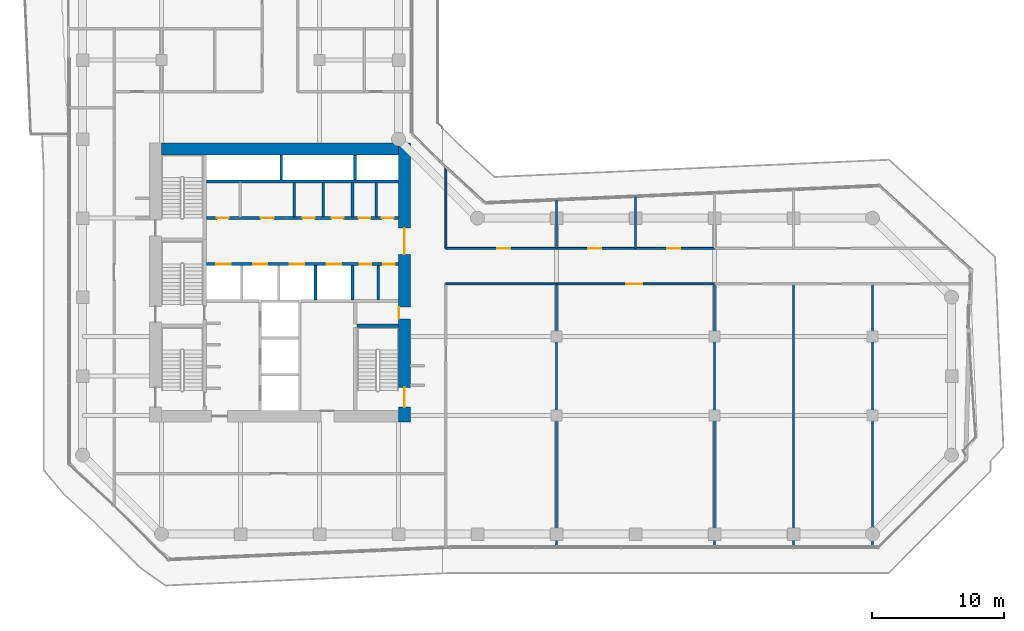
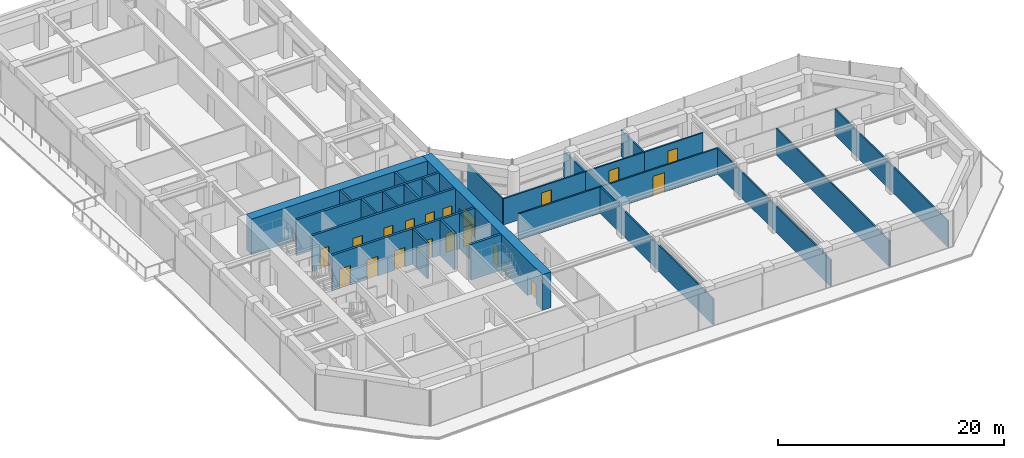
# One storey, part 24 of 29: 27 walls, 19 doors, 19 openings.
"""IFC4 building model written with IfcOpenShell, lengths in metres."""

import ifcopenshell
import ifcopenshell.guid

model = None  # the IFC model being written
_history = None  # IfcOwnerHistory: only IFC2X3 demands one
_inside = {}  # id of a spatial element -> (the spatial element, [elements in it])
_under = {}  # id of a project, library or spatial element -> (it, [spatial elements below it])
_declared = {}  # id of a project -> (the project, [libraries it declares])
_typed = {}  # id of a type object -> (the type object, [elements of that type])
_made_of = {}  # id of a material, layer set ... -> (it, [elements and type objects made of it])


def new_model(schema):
    """Start an empty IFC model of exactly this schema.

    Asked for "IFC4X3", IfcOpenShell would pick the latest addendum, in which some entities
    have other attributes; the version numbers below select the first issue.
    IFC2X3 requires an IfcOwnerHistory on every rooted entity: one is made here for all.
    """
    global model, _history
    if schema == "IFC4X3":
        model = ifcopenshell.file(schema_version=(4, 3, 0, 0))
    else:
        model = ifcopenshell.file(schema=schema)
    _inside.clear()
    _under.clear()
    _declared.clear()
    _typed.clear()
    _made_of.clear()
    _history = None
    if model.schema == "IFC2X3":
        org = make("IfcOrganization", Name="unknown")
        user = make(
            "IfcPersonAndOrganization",
            ThePerson=make("IfcPerson", FamilyName="unknown"),
            TheOrganization=org,
        )
        app = make(
            "IfcApplication",
            ApplicationDeveloper=org,
            Version="unknown",
            ApplicationFullName="unknown",
            ApplicationIdentifier="unknown",
        )
        _history = make(
            "IfcOwnerHistory",
            OwningUser=user,
            OwningApplication=app,
            ChangeAction="ADDED",
            CreationDate=0,
        )
    return model


def make(cls, **values):
    """One entity of the class cls with the attributes given. An attribute that is None is left unset."""
    return model.create_entity(
        cls, **{name: value for name, value in values.items() if value is not None}
    )


def rooted(cls, **values):
    """An entity with a GlobalId (a new one), such as an element, a storey or a relation."""
    return make(cls, GlobalId=ifcopenshell.guid.new(), OwnerHistory=_history, **values)


def si_unit(unit_type, name, prefix=None):
    """IfcSIUnit, for example si_unit("LENGTHUNIT", "METRE", prefix="MILLI")."""
    return make("IfcSIUnit", UnitType=unit_type, Prefix=prefix, Name=name)


def assignment(units):
    """IfcUnitAssignment: the units of a project."""
    return None if units is None else make("IfcUnitAssignment", Units=units)


def point(xyz):
    """IfcCartesianPoint."""
    return None if xyz is None else make("IfcCartesianPoint", Coordinates=xyz)


def direction(xyz):
    """IfcDirection."""
    return None if xyz is None else make("IfcDirection", DirectionRatios=xyz)


def frame(location, z_axis=None, x_axis=None):
    """IfcAxis2Placement3D, a coordinate frame: its origin and axes. An axis left out is left unset."""
    return make(
        "IfcAxis2Placement3D",
        Location=point(location),
        Axis=direction(z_axis),
        RefDirection=direction(x_axis),
    )


def frame_2d(location, x_axis=None):
    """IfcAxis2Placement2D, a coordinate frame in the plane: its origin and x axis."""
    return make(
        "IfcAxis2Placement2D", Location=point(location), RefDirection=direction(x_axis)
    )


def origin():
    """The frame at (0, 0, 0) with its axes left unset."""
    return frame((0.0, 0.0, 0.0))


def place(relative_to, where):
    """IfcLocalPlacement: puts the frame where relative to a parent placement (None: the world)."""
    return make(
        "IfcLocalPlacement", PlacementRelTo=relative_to, RelativePlacement=where
    )


def context(
    kind, dimensions, precision=None, world=None, true_north=None, identifier=None
):
    """IfcGeometricRepresentationContext, for example the 3D "Model" context."""
    return make(
        "IfcGeometricRepresentationContext",
        ContextIdentifier=identifier,
        ContextType=kind,
        CoordinateSpaceDimension=dimensions,
        Precision=precision,
        WorldCoordinateSystem=world,
        TrueNorth=true_north,
    )


def subcontext(parent, identifier, kind, view, scale=None):
    """IfcGeometricRepresentationSubContext, for example "Body" below "Model"."""
    return make(
        "IfcGeometricRepresentationSubContext",
        ContextIdentifier=identifier,
        ContextType=kind,
        ParentContext=parent,
        TargetScale=scale,
        TargetView=view,
    )


def project(units=None, contexts=None):
    """IfcProject with its units and contexts."""
    return rooted(
        "IfcProject",
        Name="project",
        RepresentationContexts=contexts,
        UnitsInContext=assignment(units),
    )


def spatial(cls, under=None, at=None, **own):
    """A site, building, storey or space (cls), placed at a placement, below another one or the project."""
    s = rooted(cls, ObjectPlacement=at, **own)
    if under is not None:
        _under.setdefault(under.id(), (under, []))[1].append(s)
    return s


def profile(cls, at=None, kind="AREA", **sizes):
    """A parametric profile (cls). Its sizes go by their IFC names, for example OverallWidth=200.0."""
    return make(cls, ProfileType=kind, Position=at, **sizes)


def rectangle(**sizes):
    """IfcRectangleProfileDef."""
    return profile("IfcRectangleProfileDef", **sizes)


def extrude(swept, where, along, depth):
    """IfcExtrudedAreaSolid: the profile swept, set in the frame where, extruded along a direction by depth."""
    return make(
        "IfcExtrudedAreaSolid",
        SweptArea=swept,
        Position=where,
        ExtrudedDirection=direction(along),
        Depth=depth,
    )


def shape(context_of_items, identifier, shape_type, items):
    """IfcShapeRepresentation: the items that make up one representation, for example the "Body"."""
    return make(
        "IfcShapeRepresentation",
        ContextOfItems=context_of_items,
        RepresentationIdentifier=identifier,
        RepresentationType=shape_type,
        Items=items,
    )


def material(Name=None, Category=None):
    """IfcMaterial."""
    return make("IfcMaterial", Name=Name, Category=Category)


def layer(
    of_material, thickness, ventilated=None, Name=None, Category=None, Priority=None
):
    """IfcMaterialLayer: one layer of a wall or slab, of a material (None: an air gap)."""
    return make(
        "IfcMaterialLayer",
        Material=of_material,
        LayerThickness=thickness,
        IsVentilated=ventilated,
        Name=Name,
        Category=Category,
        Priority=Priority,
    )


def layer_set(layers, Name=None):
    """IfcMaterialLayerSet."""
    return make("IfcMaterialLayerSet", MaterialLayers=layers, LayerSetName=Name)


def made_of(thing, what):
    """Note that an element or type object is made of a material, layer set ...; save() writes the relation."""
    if what is not None:
        _made_of.setdefault(what.id(), (what, []))[1].append(thing)
    return thing


def type_object(cls, material=None, **own):
    """A type object (cls), such as IfcWallType, which elements share."""
    return made_of(rooted(cls, **own), material)


def element(
    cls,
    number,
    at=None,
    inside=None,
    cuts=None,
    type_object=None,
    material=None,
    context=None,
    identifier="Body",
    shape_type=None,
    held_by="IfcProductDefinitionShape",
    body=None,
    shapes=None,
    **own,
):
    """One element of the class cls, such as IfcWall. Its Tag is "e" and its number.

    at: its placement. inside: the storey or other place that contains it. cuts: it is an
    opening in that element (IfcRelVoidsElement). A single representation is given by context,
    identifier, shape_type and body (its items); several are given by shapes. held_by: the class
    of the entity that holds the representations. save() writes the other relations.
    """
    e = rooted(cls, Tag="e%d" % number, ObjectPlacement=at, **own)
    if body is not None:
        shapes = [shape(context, identifier, shape_type, body)]
    if shapes is not None:
        e.Representation = make(held_by, Representations=shapes)
    if inside is not None:
        _inside.setdefault(inside.id(), (inside, []))[1].append(e)
    if cuts is not None:
        rooted(
            "IfcRelVoidsElement", RelatingBuildingElement=cuts, RelatedOpeningElement=e
        )
    if type_object is not None:
        _typed.setdefault(type_object.id(), (type_object, []))[1].append(e)
    return made_of(e, material)


def fill(opening, filler):
    """IfcRelFillsElement: the door or window that sits in an opening."""
    return rooted(
        "IfcRelFillsElement",
        RelatingOpeningElement=opening,
        RelatedBuildingElement=filler,
    )


def aggregate(whole, parts):
    """IfcRelAggregates: a whole, such as a stair, and the parts it consists of."""
    return rooted("IfcRelAggregates", RelatingObject=whole, RelatedObjects=parts)


def save(model, path):
    """Write the relations noted so far, then the file.

    IfcRelAggregates (storeys below a building ...), IfcRelContainedInSpatialStructure (elements
    in a storey), IfcRelDefinesByType, IfcRelAssociatesMaterial and IfcRelDeclares: one each for
    every whole, place, type object, material and project.
    """
    for whole, parts in _under.values():
        aggregate(whole, parts)
    for where, things in _inside.values():
        rooted(
            "IfcRelContainedInSpatialStructure",
            RelatedElements=things,
            RelatingStructure=where,
        )
    for kind, things in _typed.values():
        rooted("IfcRelDefinesByType", RelatedObjects=things, RelatingType=kind)
    for what, things in _made_of.values():
        rooted("IfcRelAssociatesMaterial", RelatedObjects=things, RelatingMaterial=what)
    for by, libraries in _declared.values():
        rooted("IfcRelDeclares", RelatingContext=by, RelatedDefinitions=libraries)
    model.write(path)


model = new_model("IFC4")

# Units and contexts
model_context = context("Model", 3, precision=1e-05, world=origin(), true_north=direction((0.0, 1.0)))
body_context = subcontext(model_context, "Body", "Model", "MODEL_VIEW")
ifc_project = project(units=[si_unit("LENGTHUNIT", "METRE"), si_unit("AREAUNIT", "SQUARE_METRE"), si_unit("VOLUMEUNIT", "CUBIC_METRE"), si_unit("PLANEANGLEUNIT", "RADIAN"), si_unit("MASSUNIT", "GRAM", prefix="KILO")], contexts=[model_context])

# Site, building, storey
site_placement = place(None, origin())
site = spatial("IfcSite", under=ifc_project, at=site_placement, CompositionType="ELEMENT")
building_placement = place(site_placement, origin())
building = spatial("IfcBuilding", under=site, at=building_placement, Name="Welwitschia Terrace Campus", CompositionType="ELEMENT")
storey_placement = place(building_placement, frame((0.0, 0.0, 62.60009765625)))
storey = spatial("IfcBuildingStorey", under=building, at=storey_placement, Name="L14", CompositionType="ELEMENT", Elevation=62.60009765625)

# Walls
ifc_material_1 = material(Name="Concrete C32/40", Category="concrete")
ifc_layer_1 = layer(ifc_material_1, 0.175048828125)
ifc_layer_set_1 = layer_set([ifc_layer_1], Name="Concrete C32/40")
wall_type_1 = type_object("IfcWallType", Name="Core partition 175 Concrete C32/40", PredefinedType="PARTITIONING", material=ifc_layer_set_1)
for number, where, z_axis, x_axis, name in (
    (1, (16.074951171875, 20.10009765625, 0.0), (0.0, 0.0, 1.0), (0.0, 1.0, 0.0), "Core partition"),
    (2, (18.27490234375, 20.10009765625, 0.0), (0.0, 0.0, 1.0), (0.0, 1.0, 0.0), "Core partition"),
    (3, (22.300048828125, 20.10009765625, 0.0), (0.0, 0.0, 1.0), (0.0, 1.0, 0.0), "Core partition"),
    (4, (22.469970703125, 13.800048828125, 0.0), (0.0, 0.0, 1.0), (0.0, 1.0, 0.0), "Core partition"),
):
    element("IfcWall", number, at=place(storey_placement, frame(where, z_axis=z_axis, x_axis=x_axis)), inside=storey, type_object=wall_type_1, Name=name, PredefinedType="PARTITIONING", context=body_context, shape_type="SweptSolid", body=[
        extrude(rectangle(XDim=2.599853515625, YDim=0.175048828125, at=frame_2d((1.2998046875, 0.0))), origin(), (0.0, 0.0, 1.0), 3.849853515625),
    ])

# Wall, openings, doors
ifc_material_2 = material(Name="Concrete C32/40", Category="concrete")
ifc_layer_2 = layer(ifc_material_2, 0.22509765625)
ifc_layer_set_2 = layer_set([ifc_layer_2], Name="Concrete C32/40")
wall_type_2 = type_object("IfcWallType", Name="Core partition 225 Concrete C32/40", PredefinedType="PARTITIONING", material=ifc_layer_set_2)
wall_1_placement = place(storey_placement, frame((9.39990234375, 16.5, 0.0), z_axis=(0.0, 0.0, 1.0), x_axis=(1.0, 0.0, 0.0)))
wall_1 = element("IfcWall", 5, at=wall_1_placement, inside=storey, type_object=wall_type_2, Name="Shaft wall", PredefinedType="PARTITIONING", context=body_context, shape_type="SweptSolid", body=[
    extrude(rectangle(XDim=14.60009765625, YDim=0.22509765625, at=frame_2d((7.300048828125, 0.0))), origin(), (0.0, 0.0, 1.0), 3.849853515625),
])
opening_1_placement = place(wall_1_placement, frame((0.75, 0.0, 0.0)))
opening_1 = element("IfcOpeningElement", 6, at=opening_1_placement, cuts=wall_1, Name="Opening LD", PredefinedType="OPENING", context=body_context, shape_type="SweptSolid", body=[
    extrude(rectangle(XDim=1.10009765625, YDim=2.10009765625, at=frame_2d((0.550048828125, 1.050048828125))), frame((0.0, 0.12255859375, 0.0), z_axis=(0.0, -1.0, 0.0), x_axis=(1.0, 0.0, 0.0)), (0.0, 0.0, 1.0), 0.2451171875),
])
opening_2_placement = place(wall_1_placement, frame((3.550048828125, 0.0, 0.0)))
opening_2 = element("IfcOpeningElement", 7, at=opening_2_placement, cuts=wall_1, Name="Opening LD", PredefinedType="OPENING", context=body_context, shape_type="SweptSolid", body=[
    extrude(rectangle(XDim=1.10009765625, YDim=2.10009765625, at=frame_2d((0.550048828125, 1.050048828125))), frame((0.0, 0.12255859375, 0.0), z_axis=(0.0, -1.0, 0.0), x_axis=(1.0, 0.0, 0.0)), (0.0, 0.0, 1.0), 0.2451171875),
])
opening_3_placement = place(wall_1_placement, frame((6.35009765625, 0.0, 0.0)))
opening_3 = element("IfcOpeningElement", 8, at=opening_3_placement, cuts=wall_1, Name="Opening LD", PredefinedType="OPENING", context=body_context, shape_type="SweptSolid", body=[
    extrude(rectangle(XDim=1.10009765625, YDim=2.10009765625, at=frame_2d((0.550048828125, 1.050048828125))), frame((0.0, 0.12255859375, 0.0), z_axis=(0.0, -1.0, 0.0), x_axis=(1.0, 0.0, 0.0)), (0.0, 0.0, 1.0), 0.2451171875),
])
opening_4_placement = place(wall_1_placement, frame((9.14990234375, 0.0, 0.0)))
opening_4 = element("IfcOpeningElement", 9, at=opening_4_placement, cuts=wall_1, Name="Opening LD", PredefinedType="OPENING", context=body_context, shape_type="SweptSolid", body=[
    extrude(rectangle(XDim=1.10009765625, YDim=2.10009765625, at=frame_2d((0.550048828125, 1.050048828125))), frame((0.0, 0.12255859375, 0.0), z_axis=(0.0, -1.0, 0.0), x_axis=(1.0, 0.0, 0.0)), (0.0, 0.0, 1.0), 0.2451171875),
])
opening_5_placement = place(wall_1_placement, frame((11.6474609375, 0.0, 0.0)))
opening_5 = element("IfcOpeningElement", 10, at=opening_5_placement, cuts=wall_1, Name="Opening DR09", PredefinedType="OPENING", context=body_context, shape_type="SweptSolid", body=[
    extrude(rectangle(XDim=0.89990234375, YDim=2.10009765625, at=frame_2d((0.449951171875, 1.050048828125))), frame((0.0, 0.12255859375, 0.0), z_axis=(0.0, -1.0, 0.0), x_axis=(1.0, 0.0, 0.0)), (0.0, 0.0, 1.0), 0.2451171875),
])
opening_6_placement = place(wall_1_placement, frame((13.422607421875, 0.0, 0.0)))
opening_6 = element("IfcOpeningElement", 11, at=opening_6_placement, cuts=wall_1, Name="Opening DR09", PredefinedType="OPENING", context=body_context, shape_type="SweptSolid", body=[
    extrude(rectangle(XDim=0.89990234375, YDim=2.10009765625, at=frame_2d((0.449951171875, 1.050048828125))), frame((0.0, 0.12255859375, 0.0), z_axis=(0.0, -1.0, 0.0), x_axis=(1.0, 0.0, 0.0)), (0.0, 0.0, 1.0), 0.2451171875),
])
ifc_material_3 = material(Name="Steel S275", Category="steel")
door_type_1 = type_object("IfcDoorType", Name="Core door DR09", OperationType="SINGLE_SWING_LEFT", PredefinedType="DOOR", material=ifc_material_3)
door_1_placement = place(opening_5_placement, origin())
door_1 = element("IfcDoor", 12, at=door_1_placement, inside=storey, type_object=door_type_1, Name="Door EL1-D", OperationType="SINGLE_SWING_RIGHT", OverallHeight=2.10009765625, OverallWidth=0.89990234375, PredefinedType="DOOR", context=body_context, shape_type="SweptSolid", body=[
    extrude(rectangle(XDim=0.89990234375, YDim=2.10009765625, at=frame_2d((0.449951171875, 1.050048828125))), frame((0.0, 0.02490234375, 0.0), z_axis=(0.0, -1.0, 0.0), x_axis=(1.0, 0.0, 0.0)), (0.0, 0.0, 1.0), 0.050048828125),
])
fill(opening_5, door_1)
door_2_placement = place(opening_6_placement, origin())
door_2 = element("IfcDoor", 13, at=door_2_placement, inside=storey, type_object=door_type_1, Name="Door EL2-D", OperationType="SINGLE_SWING_RIGHT", OverallHeight=2.10009765625, OverallWidth=0.89990234375, PredefinedType="DOOR", context=body_context, shape_type="SweptSolid", body=[
    extrude(rectangle(XDim=0.89990234375, YDim=2.10009765625, at=frame_2d((0.449951171875, 1.050048828125))), frame((0.0, 0.02490234375, 0.0), z_axis=(0.0, -1.0, 0.0), x_axis=(1.0, 0.0, 0.0)), (0.0, 0.0, 1.0), 0.050048828125),
])
fill(opening_6, door_2)
ifc_material_4 = material(Name="Stainless steel 304", Category="steel")
door_type_2 = type_object("IfcDoorType", Name="Lift landing door", OperationType="DOUBLE_DOOR_SLIDING", PredefinedType="DOOR", material=ifc_material_4)
door_3_placement = place(opening_1_placement, origin())
door_3 = element("IfcDoor", 14, at=door_3_placement, inside=storey, type_object=door_type_2, Name="Landing door LR1", OperationType="DOUBLE_DOOR_SLIDING", OverallHeight=2.10009765625, OverallWidth=1.10009765625, PredefinedType="DOOR", context=body_context, shape_type="SweptSolid", body=[
    extrude(rectangle(XDim=1.10009765625, YDim=2.10009765625, at=frame_2d((0.550048828125, 1.050048828125))), frame((0.0, 0.02490234375, 0.0), z_axis=(0.0, -1.0, 0.0), x_axis=(1.0, 0.0, 0.0)), (0.0, 0.0, 1.0), 0.050048828125),
])
fill(opening_1, door_3)
door_4_placement = place(opening_2_placement, origin())
door_4 = element("IfcDoor", 15, at=door_4_placement, inside=storey, type_object=door_type_2, Name="Landing door LR2", OperationType="DOUBLE_DOOR_SLIDING", OverallHeight=2.10009765625, OverallWidth=1.10009765625, PredefinedType="DOOR", context=body_context, shape_type="SweptSolid", body=[
    extrude(rectangle(XDim=1.10009765625, YDim=2.10009765625, at=frame_2d((0.550048828125, 1.050048828125))), frame((0.0, 0.02490234375, 0.0), z_axis=(0.0, -1.0, 0.0), x_axis=(1.0, 0.0, 0.0)), (0.0, 0.0, 1.0), 0.050048828125),
])
fill(opening_2, door_4)
door_5_placement = place(opening_3_placement, origin())
door_5 = element("IfcDoor", 16, at=door_5_placement, inside=storey, type_object=door_type_2, Name="Landing door LR3", OperationType="DOUBLE_DOOR_SLIDING", OverallHeight=2.10009765625, OverallWidth=1.10009765625, PredefinedType="DOOR", context=body_context, shape_type="SweptSolid", body=[
    extrude(rectangle(XDim=1.10009765625, YDim=2.10009765625, at=frame_2d((0.550048828125, 1.050048828125))), frame((0.0, 0.02490234375, 0.0), z_axis=(0.0, -1.0, 0.0), x_axis=(1.0, 0.0, 0.0)), (0.0, 0.0, 1.0), 0.050048828125),
])
fill(opening_3, door_5)
door_6_placement = place(opening_4_placement, origin())
door_6 = element("IfcDoor", 17, at=door_6_placement, inside=storey, type_object=door_type_2, Name="Landing door LR4", OperationType="DOUBLE_DOOR_SLIDING", OverallHeight=2.10009765625, OverallWidth=1.10009765625, PredefinedType="DOOR", context=body_context, shape_type="SweptSolid", body=[
    extrude(rectangle(XDim=1.10009765625, YDim=2.10009765625, at=frame_2d((0.550048828125, 1.050048828125))), frame((0.0, 0.02490234375, 0.0), z_axis=(0.0, -1.0, 0.0), x_axis=(1.0, 0.0, 0.0)), (0.0, 0.0, 1.0), 0.050048828125),
])
fill(opening_4, door_6)

wall_2_placement = place(storey_placement, frame((24.0, 20.0, 0.0), z_axis=(0.0, 0.0, 1.0), x_axis=(-1.0, 0.0, 0.0)))
wall_2 = element("IfcWall", 18, at=wall_2_placement, inside=storey, type_object=wall_type_2, Name="Core partition", PredefinedType="PARTITIONING", context=body_context, shape_type="SweptSolid", body=[
    extrude(rectangle(XDim=14.60009765625, YDim=0.22509765625, at=frame_2d((7.300048828125, 0.0))), origin(), (0.0, 0.0, 1.0), 3.849853515625),
])
opening_7_placement = place(wall_2_placement, frame((12.89990234375, 0.0, 0.0)))
opening_7 = element("IfcOpeningElement", 19, at=opening_7_placement, cuts=wall_2, Name="Opening DR09", PredefinedType="OPENING", context=body_context, shape_type="SweptSolid", body=[
    extrude(rectangle(XDim=0.89990234375, YDim=2.10009765625, at=frame_2d((0.449951171875, 1.050048828125))), frame((0.0, 0.12255859375, 0.0), z_axis=(0.0, -1.0, 0.0), x_axis=(1.0, 0.0, 0.0)), (0.0, 0.0, 1.0), 0.2451171875),
])
opening_8_placement = place(wall_2_placement, frame((9.47509765625, 0.0, 0.0)))
opening_8 = element("IfcOpeningElement", 20, at=opening_8_placement, cuts=wall_2, Name="Opening DR10", PredefinedType="OPENING", context=body_context, shape_type="SweptSolid", body=[
    extrude(rectangle(XDim=1.0, YDim=2.10009765625, at=frame_2d((0.5, 1.050048828125))), frame((0.0, 0.12255859375, 0.0), z_axis=(0.0, -1.0, 0.0), x_axis=(1.0, 0.0, 0.0)), (0.0, 0.0, 1.0), 0.2451171875),
])
opening_9_placement = place(wall_2_placement, frame((6.375, 0.0, 0.0)))
opening_9 = element("IfcOpeningElement", 21, at=opening_9_placement, cuts=wall_2, Name="Opening DR09", PredefinedType="OPENING", context=body_context, shape_type="SweptSolid", body=[
    extrude(rectangle(XDim=0.89990234375, YDim=2.10009765625, at=frame_2d((0.449951171875, 1.050048828125))), frame((0.0, 0.12255859375, 0.0), z_axis=(0.0, -1.0, 0.0), x_axis=(1.0, 0.0, 0.0)), (0.0, 0.0, 1.0), 0.2451171875),
])
opening_10_placement = place(wall_2_placement, frame((4.175048828125, 0.0, 0.0)))
opening_10 = element("IfcOpeningElement", 22, at=opening_10_placement, cuts=wall_2, Name="Opening DR09", PredefinedType="OPENING", context=body_context, shape_type="SweptSolid", body=[
    extrude(rectangle(XDim=0.89990234375, YDim=2.10009765625, at=frame_2d((0.449951171875, 1.050048828125))), frame((0.0, 0.12255859375, 0.0), z_axis=(0.0, -1.0, 0.0), x_axis=(1.0, 0.0, 0.0)), (0.0, 0.0, 1.0), 0.2451171875),
])
opening_11_placement = place(wall_2_placement, frame((2.137451171875, 0.0, 0.0)))
opening_11 = element("IfcOpeningElement", 23, at=opening_11_placement, cuts=wall_2, Name="Opening DR09", PredefinedType="OPENING", context=body_context, shape_type="SweptSolid", body=[
    extrude(rectangle(XDim=0.89990234375, YDim=2.10009765625, at=frame_2d((0.449951171875, 1.050048828125))), frame((0.0, 0.12255859375, 0.0), z_axis=(0.0, -1.0, 0.0), x_axis=(1.0, 0.0, 0.0)), (0.0, 0.0, 1.0), 0.2451171875),
])
opening_12_placement = place(wall_2_placement, frame((0.362548828125, 0.0, 0.0)))
opening_12 = element("IfcOpeningElement", 24, at=opening_12_placement, cuts=wall_2, Name="Opening DR09", PredefinedType="OPENING", context=body_context, shape_type="SweptSolid", body=[
    extrude(rectangle(XDim=0.89990234375, YDim=2.10009765625, at=frame_2d((0.449951171875, 1.050048828125))), frame((0.0, 0.12255859375, 0.0), z_axis=(0.0, -1.0, 0.0), x_axis=(1.0, 0.0, 0.0)), (0.0, 0.0, 1.0), 0.2451171875),
])
door_7_placement = place(opening_7_placement, origin())
door_7 = element("IfcDoor", 25, at=door_7_placement, inside=storey, type_object=door_type_1, Name="Door BAYH1-D", OperationType="SINGLE_SWING_RIGHT", OverallHeight=2.10009765625, OverallWidth=0.89990234375, PredefinedType="DOOR", context=body_context, shape_type="SweptSolid", body=[
    extrude(rectangle(XDim=0.89990234375, YDim=2.10009765625, at=frame_2d((0.449951171875, 1.050048828125))), frame((0.0, 0.02490234375, 0.0), z_axis=(0.0, -1.0, 0.0), x_axis=(1.0, 0.0, 0.0)), (0.0, 0.0, 1.0), 0.050048828125),
])
fill(opening_7, door_7)
door_8_placement = place(opening_9_placement, origin())
door_8 = element("IfcDoor", 26, at=door_8_placement, inside=storey, type_object=door_type_1, Name="Door BAYH3-D", OperationType="SINGLE_SWING_LEFT", OverallHeight=2.10009765625, OverallWidth=0.89990234375, PredefinedType="DOOR", context=body_context, shape_type="SweptSolid", body=[
    extrude(rectangle(XDim=0.89990234375, YDim=2.10009765625, at=frame_2d((0.449951171875, 1.050048828125))), frame((0.0, 0.02490234375, 0.0), z_axis=(0.0, -1.0, 0.0), x_axis=(1.0, 0.0, 0.0)), (0.0, 0.0, 1.0), 0.050048828125),
])
fill(opening_9, door_8)
door_9_placement = place(opening_10_placement, origin())
door_9 = element("IfcDoor", 27, at=door_9_placement, inside=storey, type_object=door_type_1, Name="Door BAYH4-D", OperationType="SINGLE_SWING_LEFT", OverallHeight=2.10009765625, OverallWidth=0.89990234375, PredefinedType="DOOR", context=body_context, shape_type="SweptSolid", body=[
    extrude(rectangle(XDim=0.89990234375, YDim=2.10009765625, at=frame_2d((0.449951171875, 1.050048828125))), frame((0.0, 0.02490234375, 0.0), z_axis=(0.0, -1.0, 0.0), x_axis=(1.0, 0.0, 0.0)), (0.0, 0.0, 1.0), 0.050048828125),
])
fill(opening_10, door_9)
door_10_placement = place(opening_11_placement, origin())
door_10 = element("IfcDoor", 28, at=door_10_placement, inside=storey, type_object=door_type_1, Name="Door EH1-D", OperationType="SINGLE_SWING_LEFT", OverallHeight=2.10009765625, OverallWidth=0.89990234375, PredefinedType="DOOR", context=body_context, shape_type="SweptSolid", body=[
    extrude(rectangle(XDim=0.89990234375, YDim=2.10009765625, at=frame_2d((0.449951171875, 1.050048828125))), frame((0.0, 0.02490234375, 0.0), z_axis=(0.0, -1.0, 0.0), x_axis=(1.0, 0.0, 0.0)), (0.0, 0.0, 1.0), 0.050048828125),
])
fill(opening_11, door_10)
door_11_placement = place(opening_12_placement, origin())
door_11 = element("IfcDoor", 29, at=door_11_placement, inside=storey, type_object=door_type_1, Name="Door EH2-D", OperationType="SINGLE_SWING_LEFT", OverallHeight=2.10009765625, OverallWidth=0.89990234375, PredefinedType="DOOR", context=body_context, shape_type="SweptSolid", body=[
    extrude(rectangle(XDim=0.89990234375, YDim=2.10009765625, at=frame_2d((0.449951171875, 1.050048828125))), frame((0.0, 0.02490234375, 0.0), z_axis=(0.0, -1.0, 0.0), x_axis=(1.0, 0.0, 0.0)), (0.0, 0.0, 1.0), 0.050048828125),
])
fill(opening_12, door_11)
ifc_material_5 = material(Name="Steel S275", Category="steel")
door_type_3 = type_object("IfcDoorType", Name="Core door DR10", OperationType="SINGLE_SWING_LEFT", PredefinedType="DOOR", material=ifc_material_5)
door_12_placement = place(opening_8_placement, origin())
door_12 = element("IfcDoor", 30, at=door_12_placement, inside=storey, type_object=door_type_3, Name="Door BAYH2-D", OperationType="SINGLE_SWING_RIGHT", OverallHeight=2.10009765625, OverallWidth=1.0, PredefinedType="DOOR", context=body_context, shape_type="SweptSolid", body=[
    extrude(rectangle(XDim=1.0, YDim=2.10009765625, at=frame_2d((0.5, 1.050048828125))), frame((0.0, 0.02490234375, 0.0), z_axis=(0.0, -1.0, 0.0), x_axis=(1.0, 0.0, 0.0)), (0.0, 0.0, 1.0), 0.050048828125),
])
fill(opening_8, door_12)

# Walls
wall_3_placement = place(storey_placement, frame((9.39990234375, 22.800048828125, 0.0), z_axis=(0.0, 0.0, 1.0), x_axis=(1.0, 0.0, 0.0)))
element("IfcWall", 31, at=wall_3_placement, inside=storey, type_object=wall_type_2, Name="Shaft wall", PredefinedType="PARTITIONING", context=body_context, shape_type="SweptSolid", body=[
    extrude(rectangle(XDim=14.60009765625, YDim=0.22509765625, at=frame_2d((7.300048828125, 0.0))), origin(), (0.0, 0.0, 1.0), 3.849853515625),
])
for number, where, z_axis, x_axis, name in (
    (32, (20.5, 13.800048828125, 0.0), (0.0, 0.0, 1.0), (0.0, 1.0, 0.0), "Shaft wall"),
    (33, (20.5, 20.10009765625, 0.0), (0.0, 0.0, 1.0), (0.0, 1.0, 0.0), "Core partition"),
):
    element("IfcWall", number, at=place(storey_placement, frame(where, z_axis=z_axis, x_axis=x_axis)), inside=storey, type_object=wall_type_2, Name=name, PredefinedType="PARTITIONING", context=body_context, shape_type="SweptSolid", body=[
        extrude(rectangle(XDim=2.599853515625, YDim=0.22509765625, at=frame_2d((1.2998046875, 0.0))), origin(), (0.0, 0.0, 1.0), 3.849853515625),
    ])
ifc_material_6 = material(Name="Concrete C50/60", Category="concrete")
ifc_layer_3 = layer(ifc_material_6, 0.199951171875)
ifc_layer_set_3 = layer_set([ifc_layer_3], Name="Concrete C50/60")
wall_type_3 = type_object("IfcWallType", Name="Core wall 200 Concrete C50/60", PredefinedType="SHEAR", material=ifc_layer_set_3)
for number, where, z_axis, x_axis, name in (
    (34, (15.10009765625, 22.89990234375, 0.0), (0.0, 0.0, 1.0), (0.0, 1.0, 0.0), "Core wall"),
    (35, (20.699951171875, 22.89990234375, 0.0), (0.0, 0.0, 1.0), (0.0, 1.0, 0.0), "Core wall"),
):
    element("IfcWall", number, at=place(storey_placement, frame(where, z_axis=z_axis, x_axis=x_axis)), inside=storey, type_object=wall_type_3, Name=name, PredefinedType="SHEAR", context=body_context, shape_type="SweptSolid", body=[
        extrude(rectangle(XDim=1.900146484375, YDim=0.199951171875, at=frame_2d((0.9501953125, 0.0))), origin(), (0.0, 0.0, 1.0), 3.849853515625),
    ])
ifc_material_7 = material(Name="Concrete C50/60", Category="concrete")
ifc_layer_4 = layer(ifc_material_7, 0.25)
ifc_layer_set_4 = layer_set([ifc_layer_4], Name="Concrete C50/60")
wall_type_4 = type_object("IfcWallType", Name="Core wall 250 Concrete C50/60", PredefinedType="SHEAR", material=ifc_layer_set_4)
wall_4_placement = place(storey_placement, frame((20.85009765625, 11.824951171875, 0.0), z_axis=(0.0, 0.0, 1.0), x_axis=(1.0, 0.0, 0.0)))
element("IfcWall", 36, at=wall_4_placement, inside=storey, type_object=wall_type_4, Name="Core wall", PredefinedType="SHEAR", context=body_context, shape_type="SweptSolid", body=[
    extrude(rectangle(XDim=3.14990234375, YDim=0.25, at=frame_2d((1.574951171875, 0.0))), origin(), (0.0, 0.0, 1.0), 3.849853515625),
])

# Wall, openings, doors
ifc_material_8 = material(Name="Concrete C70/85", Category="concrete")
ifc_layer_5 = layer(ifc_material_8, 0.89990234375)
ifc_layer_set_5 = layer_set([ifc_layer_5], Name="Concrete C70/85")
wall_type_5 = type_object("IfcWallType", Name="Core wall 900 Concrete C70/85", PredefinedType="SHEAR", material=ifc_layer_set_5)
wall_5_placement = place(storey_placement, frame((24.449951171875, 25.699951171875, 0.0), z_axis=(0.0, 0.0, 1.0), x_axis=(0.0, -1.0, 0.0)))
wall_5 = element("IfcWall", 37, at=wall_5_placement, inside=storey, type_object=wall_type_5, Name="Core outer wall", PredefinedType="SHEAR", context=body_context, shape_type="SweptSolid", body=[
    extrude(rectangle(XDim=21.199951171875, YDim=0.89990234375, at=frame_2d((10.60009765625, 0.0))), origin(), (0.0, 0.0, 1.0), 3.849853515625),
])
opening_13_placement = place(wall_5_placement, frame((18.550048828125, 0.0, 0.0)))
opening_13 = element("IfcOpeningElement", 38, at=opening_13_placement, cuts=wall_5, Name="Opening DS15", PredefinedType="OPENING", context=body_context, shape_type="SweptSolid", body=[
    extrude(rectangle(XDim=1.5, YDim=2.10009765625, at=frame_2d((0.75, 1.050048828125))), frame((0.0, 0.4599609375, 0.0), z_axis=(0.0, -1.0, 0.0), x_axis=(1.0, 0.0, 0.0)), (0.0, 0.0, 1.0), 0.919921875),
])
opening_14_placement = place(wall_5_placement, frame((12.449951171875, 0.0, 0.0)))
opening_14 = element("IfcOpeningElement", 39, at=opening_14_placement, cuts=wall_5, Name="Opening DR09", PredefinedType="OPENING", context=body_context, shape_type="SweptSolid", body=[
    extrude(rectangle(XDim=0.89990234375, YDim=2.10009765625, at=frame_2d((0.449951171875, 1.050048828125))), frame((0.0, 0.4599609375, 0.0), z_axis=(0.0, -1.0, 0.0), x_axis=(1.0, 0.0, 0.0)), (0.0, 0.0, 1.0), 0.919921875),
])
opening_15_placement = place(wall_5_placement, frame((6.449951171875, 0.0, 0.0)))
opening_15 = element("IfcOpeningElement", 40, at=opening_15_placement, cuts=wall_5, Name="Opening DL20", PredefinedType="OPENING", context=body_context, shape_type="SweptSolid", body=[
    extrude(rectangle(XDim=2.0, YDim=2.10009765625, at=frame_2d((1.0, 1.050048828125))), frame((0.0, 0.4599609375, 0.0), z_axis=(0.0, -1.0, 0.0), x_axis=(1.0, 0.0, 0.0)), (0.0, 0.0, 1.0), 0.919921875),
])
ifc_material_9 = material(Name="Steel S275", Category="steel")
door_type_4 = type_object("IfcDoorType", Name="Core door DL20", OperationType="DOUBLE_DOOR_SINGLE_SWING", PredefinedType="DOOR", material=ifc_material_9)
door_13_placement = place(opening_15_placement, origin())
door_13 = element("IfcDoor", 41, at=door_13_placement, inside=storey, type_object=door_type_4, Name="Door LOBBY-out", OperationType="DOUBLE_DOOR_SINGLE_SWING", OverallHeight=2.10009765625, OverallWidth=2.0, PredefinedType="DOOR", context=body_context, shape_type="SweptSolid", body=[
    extrude(rectangle(XDim=2.0, YDim=2.10009765625, at=frame_2d((1.0, 1.050048828125))), frame((0.0, 0.02490234375, 0.0), z_axis=(0.0, -1.0, 0.0), x_axis=(1.0, 0.0, 0.0)), (0.0, 0.0, 1.0), 0.050048828125),
])
fill(opening_15, door_13)
door_14_placement = place(opening_14_placement, origin())
door_14 = element("IfcDoor", 42, at=door_14_placement, inside=storey, type_object=door_type_1, Name="Door F1B-out", OperationType="SINGLE_SWING_RIGHT", OverallHeight=2.10009765625, OverallWidth=0.89990234375, PredefinedType="DOOR", context=body_context, shape_type="SweptSolid", body=[
    extrude(rectangle(XDim=0.89990234375, YDim=2.10009765625, at=frame_2d((0.449951171875, 1.050048828125))), frame((0.0, -0.39013671875, 0.0), z_axis=(0.0, -1.0, 0.0), x_axis=(1.0, 0.0, 0.0)), (0.0, 0.0, 1.0), 0.050048828125),
])
fill(opening_14, door_14)
ifc_material_10 = material(Name="Steel S275", Category="steel")
door_type_5 = type_object("IfcDoorType", Name="Core door DS15", OperationType="DOUBLE_DOOR_SINGLE_SWING", PredefinedType="DOOR", material=ifc_material_10)
door_15_placement = place(opening_13_placement, origin())
door_15 = element("IfcDoor", 43, at=door_15_placement, inside=storey, type_object=door_type_5, Name="Door S2-out", OperationType="DOUBLE_DOOR_SINGLE_SWING", OverallHeight=2.10009765625, OverallWidth=1.5, PredefinedType="DOOR", context=body_context, shape_type="SweptSolid", body=[
    extrude(rectangle(XDim=1.5, YDim=2.10009765625, at=frame_2d((0.75, 1.050048828125))), frame((0.0, 0.02490234375, 0.0), z_axis=(0.0, -1.0, 0.0), x_axis=(1.0, 0.0, 0.0)), (0.0, 0.0, 1.0), 0.050048828125),
])
fill(opening_13, door_15)

# Walls
wall_6_placement = place(storey_placement, frame((6.0, 25.25, 0.0), z_axis=(0.0, 0.0, 1.0), x_axis=(1.0, 0.0, 0.0)))
element("IfcWall", 44, at=wall_6_placement, inside=storey, type_object=wall_type_5, Name="Core outer wall", PredefinedType="SHEAR", context=body_context, shape_type="SweptSolid", body=[
    extrude(rectangle(XDim=18.0, YDim=0.89990234375, at=frame_2d((9.0, 0.0))), origin(), (0.0, 0.0, 1.0), 3.849853515625),
])
ifc_material_11 = material(Name="Gypsum board on steel studs", Category="steel")
ifc_layer_6 = layer(ifc_material_11, 0.14990234375)
ifc_layer_set_6 = layer_set([ifc_layer_6], Name="Gypsum board on steel studs")
wall_type_6 = type_object("IfcWallType", Name="Corridor partition 150 EI 30", PredefinedType="PARTITIONING", material=ifc_layer_set_6)
wall_7_placement = place(storey_placement, frame((27.60009765625, 15.0, 0.0), z_axis=(0.0, 0.0, 1.0), x_axis=(1.0, 0.0, 0.0)))
element("IfcWall", 45, at=wall_7_placement, inside=storey, type_object=wall_type_6, Name="Partition", PredefinedType="PARTITIONING", context=body_context, shape_type="SweptSolid", body=[
    extrude(rectangle(XDim=8.39990234375, YDim=0.14990234375, at=frame_2d((4.199951171875, 0.0))), origin(), (0.0, 0.0, 1.0), 2.829833984375),
])
wall_8_placement = place(storey_placement, frame((27.60009765625, 17.699951171875, 0.0), z_axis=(0.0, 0.0, 1.0), x_axis=(0.0, 1.0, 0.0)))
element("IfcWall", 46, at=wall_8_placement, inside=storey, type_object=wall_type_6, Name="Partition", PredefinedType="PARTITIONING", context=body_context, shape_type="SweptSolid", body=[
    extrude(rectangle(XDim=6.16015625, YDim=0.14990234375, at=frame_2d((3.080078125, 0.0))), origin(), (0.0, 0.0, 1.0), 2.829833984375),
])

# Wall, opening, door
wall_9_placement = place(storey_placement, frame((27.60009765625, 17.699951171875, 0.0), z_axis=(0.0, 0.0, 1.0), x_axis=(1.0, 0.0, 0.0)))
wall_9 = element("IfcWall", 47, at=wall_9_placement, inside=storey, type_object=wall_type_6, Name="Partition", PredefinedType="PARTITIONING", context=body_context, shape_type="SweptSolid", body=[
    extrude(rectangle(XDim=8.39990234375, YDim=0.14990234375, at=frame_2d((4.199951171875, 0.0))), origin(), (0.0, 0.0, 1.0), 2.829833984375),
])
opening_16_placement = place(wall_9_placement, frame((3.89990234375, 0.0, 0.0)))
opening_16 = element("IfcOpeningElement", 48, at=opening_16_placement, cuts=wall_9, Name="Opening DI10", PredefinedType="OPENING", context=body_context, shape_type="SweptSolid", body=[
    extrude(rectangle(XDim=1.0, YDim=2.10009765625, at=frame_2d((0.5, 1.050048828125))), frame((0.0, 0.0849609375, 0.0), z_axis=(0.0, -1.0, 0.0), x_axis=(1.0, 0.0, 0.0)), (0.0, 0.0, 1.0), 0.169921875),
])
ifc_material_12 = material(Name="Timber veneered door", Category="wood")
door_type_6 = type_object("IfcDoorType", Name="Interior door DI10", OperationType="NOTDEFINED", PredefinedType="DOOR", material=ifc_material_12)
door_16_placement = place(opening_16_placement, origin())
door_16 = element("IfcDoor", 49, at=door_16_placement, inside=storey, type_object=door_type_6, Name="Door L14 326", OperationType="SINGLE_SWING_LEFT", OverallHeight=2.10009765625, OverallWidth=1.0, PredefinedType="DOOR", context=body_context, shape_type="SweptSolid", body=[
    extrude(rectangle(XDim=1.0, YDim=2.10009765625, at=frame_2d((0.5, 1.050048828125))), frame((0.0, 0.02490234375, 0.0), z_axis=(0.0, -1.0, 0.0), x_axis=(1.0, 0.0, 0.0)), (0.0, 0.0, 1.0), 0.050048828125),
])
fill(opening_16, door_16)

# Walls
wall_10_placement = place(storey_placement, frame((36.0, -5.010009765625, 0.0), z_axis=(0.0, 0.0, 1.0), x_axis=(0.0, 1.0, 0.0)))
element("IfcWall", 50, at=wall_10_placement, inside=storey, type_object=wall_type_6, Name="Partition", PredefinedType="PARTITIONING", context=body_context, shape_type="SweptSolid", body=[
    extrude(rectangle(XDim=20.010009765625, YDim=0.14990234375, at=frame_2d((10.0048828125, 0.0))), origin(), (0.0, 0.0, 1.0), 2.829833984375),
])
wall_11_placement = place(storey_placement, frame((36.0, 17.699951171875, 0.0), z_axis=(0.0, 0.0, 1.0), x_axis=(0.0, 1.0, 0.0)))
element("IfcWall", 51, at=wall_11_placement, inside=storey, type_object=wall_type_6, Name="Partition", PredefinedType="PARTITIONING", context=body_context, shape_type="SweptSolid", body=[
    extrude(rectangle(XDim=3.68994140625, YDim=0.14990234375, at=frame_2d((1.844970703125, 0.0))), origin(), (0.0, 0.0, 1.0), 2.829833984375),
])

# Wall, opening, door
wall_12_placement = place(storey_placement, frame((36.0, 17.699951171875, 0.0), z_axis=(0.0, 0.0, 1.0), x_axis=(1.0, 0.0, 0.0)))
wall_12 = element("IfcWall", 52, at=wall_12_placement, inside=storey, type_object=wall_type_6, Name="Partition", PredefinedType="PARTITIONING", context=body_context, shape_type="SweptSolid", body=[
    extrude(rectangle(XDim=6.0, YDim=0.14990234375, at=frame_2d((3.0, 0.0))), origin(), (0.0, 0.0, 1.0), 2.829833984375),
])
opening_17_placement = place(wall_12_placement, frame((2.39990234375, 0.0, 0.0)))
opening_17 = element("IfcOpeningElement", 53, at=opening_17_placement, cuts=wall_12, Name="Opening DI10", PredefinedType="OPENING", context=body_context, shape_type="SweptSolid", body=[
    extrude(rectangle(XDim=1.0, YDim=2.10009765625, at=frame_2d((0.5, 1.050048828125))), frame((0.0, 0.0849609375, 0.0), z_axis=(0.0, -1.0, 0.0), x_axis=(1.0, 0.0, 0.0)), (0.0, 0.0, 1.0), 0.169921875),
])
door_17_placement = place(opening_17_placement, origin())
door_17 = element("IfcDoor", 54, at=door_17_placement, inside=storey, type_object=door_type_6, Name="Door L14 327", OperationType="SINGLE_SWING_RIGHT", OverallHeight=2.10009765625, OverallWidth=1.0, PredefinedType="DOOR", context=body_context, shape_type="SweptSolid", body=[
    extrude(rectangle(XDim=1.0, YDim=2.10009765625, at=frame_2d((0.5, 1.050048828125))), frame((0.0, 0.02490234375, 0.0), z_axis=(0.0, -1.0, 0.0), x_axis=(1.0, 0.0, 0.0)), (0.0, 0.0, 1.0), 0.050048828125),
])
fill(opening_17, door_17)

# Wall
wall_13_placement = place(storey_placement, frame((42.0, 17.699951171875, 0.0), z_axis=(0.0, 0.0, 1.0), x_axis=(0.0, 1.0, 0.0)))
element("IfcWall", 55, at=wall_13_placement, inside=storey, type_object=wall_type_6, Name="Partition", PredefinedType="PARTITIONING", context=body_context, shape_type="SweptSolid", body=[
    extrude(rectangle(XDim=3.949951171875, YDim=0.14990234375, at=frame_2d((1.97509765625, 0.0))), origin(), (0.0, 0.0, 1.0), 2.829833984375),
])

# Wall, opening, door
wall_14_placement = place(storey_placement, frame((42.0, 17.699951171875, 0.0), z_axis=(0.0, 0.0, 1.0), x_axis=(1.0, 0.0, 0.0)))
wall_14 = element("IfcWall", 56, at=wall_14_placement, inside=storey, type_object=wall_type_6, Name="Partition", PredefinedType="PARTITIONING", context=body_context, shape_type="SweptSolid", body=[
    extrude(rectangle(XDim=6.0, YDim=0.14990234375, at=frame_2d((3.0, 0.0))), origin(), (0.0, 0.0, 1.0), 2.829833984375),
])
opening_18_placement = place(wall_14_placement, frame((2.39990234375, 0.0, 0.0)))
opening_18 = element("IfcOpeningElement", 57, at=opening_18_placement, cuts=wall_14, Name="Opening DI10", PredefinedType="OPENING", context=body_context, shape_type="SweptSolid", body=[
    extrude(rectangle(XDim=1.0, YDim=2.10009765625, at=frame_2d((0.5, 1.050048828125))), frame((0.0, 0.0849609375, 0.0), z_axis=(0.0, -1.0, 0.0), x_axis=(1.0, 0.0, 0.0)), (0.0, 0.0, 1.0), 0.169921875),
])
door_18_placement = place(opening_18_placement, origin())
door_18 = element("IfcDoor", 58, at=door_18_placement, inside=storey, type_object=door_type_6, Name="Door L14 328", OperationType="SINGLE_SWING_LEFT", OverallHeight=2.10009765625, OverallWidth=1.0, PredefinedType="DOOR", context=body_context, shape_type="SweptSolid", body=[
    extrude(rectangle(XDim=1.0, YDim=2.10009765625, at=frame_2d((0.5, 1.050048828125))), frame((0.0, 0.02490234375, 0.0), z_axis=(0.0, -1.0, 0.0), x_axis=(1.0, 0.0, 0.0)), (0.0, 0.0, 1.0), 0.050048828125),
])
fill(opening_18, door_18)

# Wall
wall_15_placement = place(storey_placement, frame((48.0, -5.010009765625, 0.0), z_axis=(0.0, 0.0, 1.0), x_axis=(0.0, 1.0, 0.0)))
element("IfcWall", 59, at=wall_15_placement, inside=storey, type_object=wall_type_6, Name="Partition", PredefinedType="PARTITIONING", context=body_context, shape_type="SweptSolid", body=[
    extrude(rectangle(XDim=20.010009765625, YDim=0.14990234375, at=frame_2d((10.0048828125, 0.0))), origin(), (0.0, 0.0, 1.0), 2.829833984375),
])

# Wall, opening, door
wall_16_placement = place(storey_placement, frame((48.0, 15.0, 0.0), z_axis=(0.0, 0.0, 1.0), x_axis=(-1.0, 0.0, 0.0)))
wall_16 = element("IfcWall", 60, at=wall_16_placement, inside=storey, type_object=wall_type_6, Name="Partition", PredefinedType="PARTITIONING", context=body_context, shape_type="SweptSolid", body=[
    extrude(rectangle(XDim=12.0, YDim=0.14990234375, at=frame_2d((6.0, 0.0))), origin(), (0.0, 0.0, 1.0), 2.829833984375),
])
opening_19_placement = place(wall_16_placement, frame((5.5, 0.0, 0.0)))
opening_19 = element("IfcOpeningElement", 61, at=opening_19_placement, cuts=wall_16, Name="Opening DI12", PredefinedType="OPENING", context=body_context, shape_type="SweptSolid", body=[
    extrude(rectangle(XDim=1.199951171875, YDim=2.10009765625, at=frame_2d((0.60009765625, 1.050048828125))), frame((0.0, 0.0849609375, 0.0), z_axis=(0.0, -1.0, 0.0), x_axis=(1.0, 0.0, 0.0)), (0.0, 0.0, 1.0), 0.169921875),
])
ifc_material_13 = material(Name="Timber veneered door", Category="wood")
door_type_7 = type_object("IfcDoorType", Name="Interior door DI12", OperationType="NOTDEFINED", PredefinedType="DOOR", material=ifc_material_13)
door_19_placement = place(opening_19_placement, origin())
door_19 = element("IfcDoor", 62, at=door_19_placement, inside=storey, type_object=door_type_7, Name="Door L14 329", OperationType="SINGLE_SWING_RIGHT", OverallHeight=2.10009765625, OverallWidth=1.199951171875, PredefinedType="DOOR", context=body_context, shape_type="SweptSolid", body=[
    extrude(rectangle(XDim=1.199951171875, YDim=2.10009765625, at=frame_2d((0.60009765625, 1.050048828125))), frame((0.0, 0.02490234375, 0.0), z_axis=(0.0, -1.0, 0.0), x_axis=(1.0, 0.0, 0.0)), (0.0, 0.0, 1.0), 0.050048828125),
])
fill(opening_19, door_19)

# Walls
wall_17_placement = place(storey_placement, frame((54.0, -4.992919921875, 0.0), z_axis=(0.0, 0.0, 1.0), x_axis=(0.0, 1.0, 0.0)))
element("IfcWall", 63, at=wall_17_placement, inside=storey, type_object=wall_type_6, Name="Partition", PredefinedType="PARTITIONING", context=body_context, shape_type="SweptSolid", body=[
    extrude(rectangle(XDim=19.992919921875, YDim=0.14990234375, at=frame_2d((9.99658203125, 0.0))), origin(), (0.0, 0.0, 1.0), 2.829833984375),
])
wall_18_placement = place(storey_placement, frame((60.0, -5.010009765625, 0.0), z_axis=(0.0, 0.0, 1.0), x_axis=(0.0, 1.0, 0.0)))
element("IfcWall", 64, at=wall_18_placement, inside=storey, type_object=wall_type_6, Name="Partition", PredefinedType="PARTITIONING", context=body_context, shape_type="SweptSolid", body=[
    extrude(rectangle(XDim=20.010009765625, YDim=0.14990234375, at=frame_2d((10.0048828125, 0.0))), origin(), (0.0, 0.0, 1.0), 2.829833984375),
])
ifc_material_14 = material(Name="Concrete C32/40", Category="concrete")
ifc_layer_7 = layer(ifc_material_14, 0.199951171875)
ifc_layer_set_7 = layer_set([ifc_layer_7], Name="Concrete C32/40")
wall_type_7 = type_object("IfcWallType", Name="Shaft wall 200 Concrete C32/40", PredefinedType="SOLIDWALL", material=ifc_layer_set_7)
wall_19_placement = place(storey_placement, frame((17.699951171875, 13.800048828125, 0.0), z_axis=(0.0, 0.0, 1.0), x_axis=(0.0, 1.0, 0.0)))
element("IfcWall", 65, at=wall_19_placement, inside=storey, type_object=wall_type_7, Name="Shaft wall", PredefinedType="SOLIDWALL", context=body_context, shape_type="SweptSolid", body=[
    extrude(rectangle(XDim=2.599853515625, YDim=0.199951171875, at=frame_2d((1.2998046875, 0.0))), origin(), (0.0, 0.0, 1.0), 3.849853515625),
])

save(model, "model.ifc")
